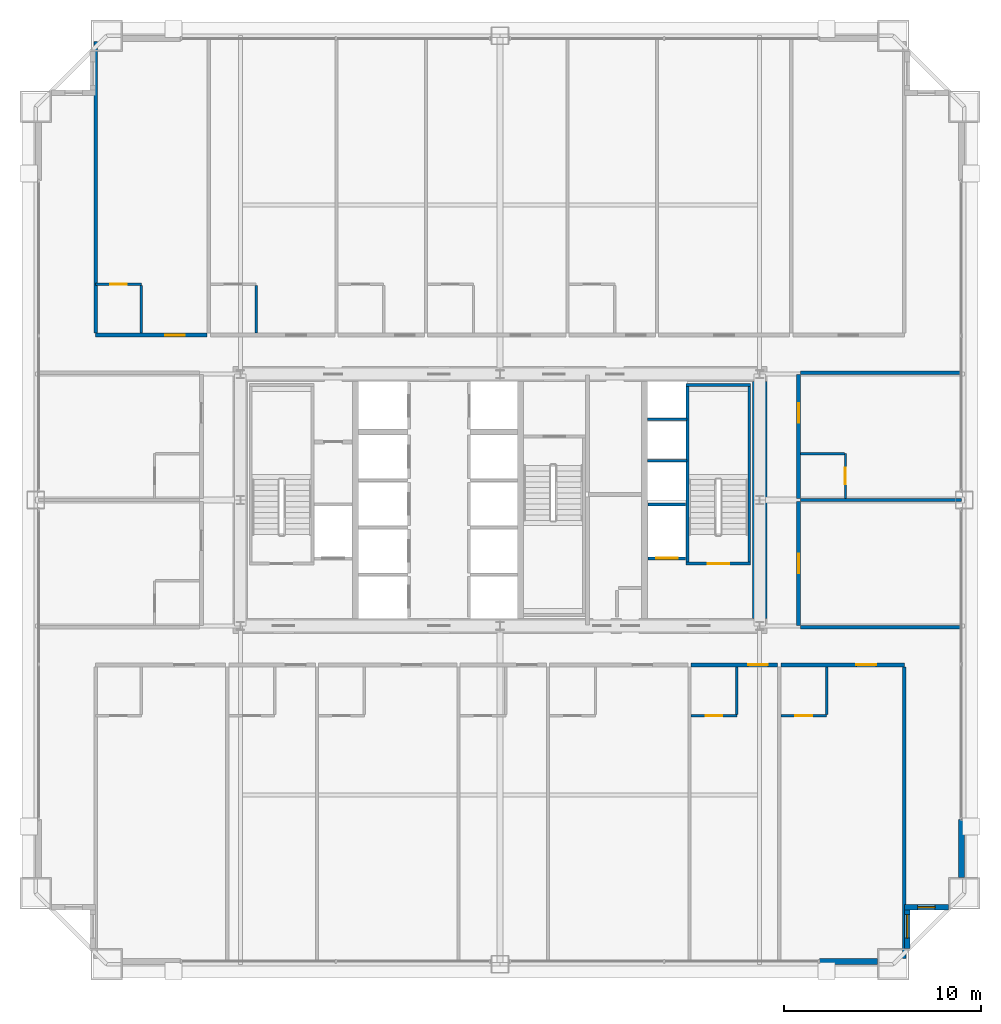
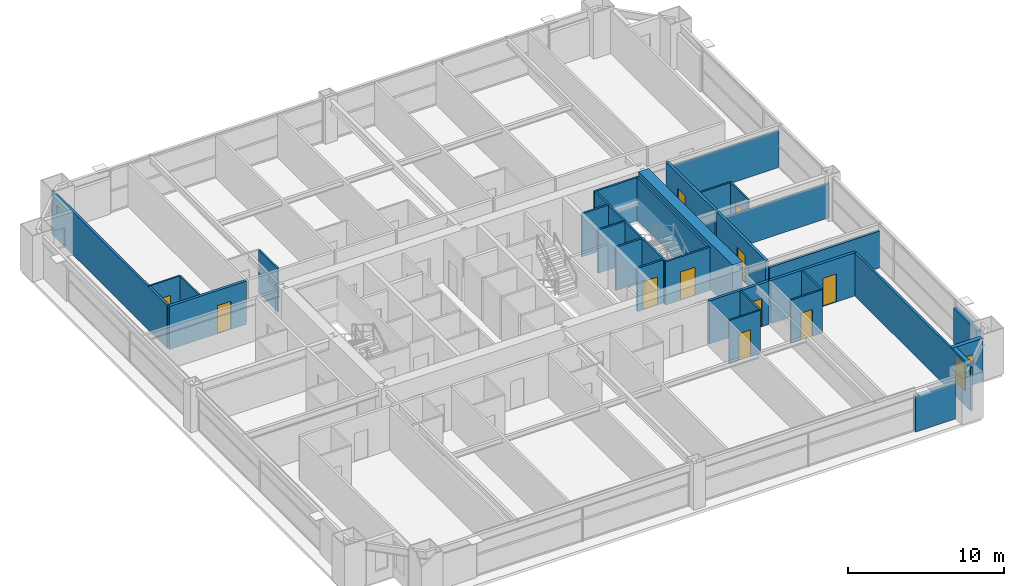
# One storey, part 36 of 38: 32 walls, 11 doors, 2 windows, 13 openings.
"""IFC4 building model written with IfcOpenShell, lengths in metres."""

from ifc_helpers import new_model, si_unit, direction, frame, frame_2d, origin, place, context, subcontext, project, spatial, rectangle, extrude, source, transform, mapped, material, layer, layer_set, type_object, element, fill, save


model = new_model("IFC4")

# Units and contexts
model_context = context("Model", 3, precision=1e-05, world=origin(), true_north=direction((0.0, 1.0)))
body_context = subcontext(model_context, "Body", "Model", "MODEL_VIEW")
ifc_project = project(units=[si_unit("LENGTHUNIT", "METRE"), si_unit("AREAUNIT", "SQUARE_METRE"), si_unit("VOLUMEUNIT", "CUBIC_METRE"), si_unit("PLANEANGLEUNIT", "RADIAN"), si_unit("MASSUNIT", "GRAM", prefix="KILO"), si_unit("THERMODYNAMICTEMPERATUREUNIT", "KELVIN"), si_unit("POWERUNIT", "WATT")], contexts=[model_context])

# Site, building, storey
site_placement = place(None, origin())
site = spatial("IfcSite", under=ifc_project, at=site_placement, CompositionType="ELEMENT")
building_placement = place(site_placement, origin())
building = spatial("IfcBuilding", under=site, at=building_placement, Name="Yuzanri Waterfront Tower", CompositionType="ELEMENT")
storey_placement = place(building_placement, frame((0.0, 0.0, 97.39990234375)))
storey = spatial("IfcBuildingStorey", under=building, at=storey_placement, Name="L25", CompositionType="ELEMENT", Elevation=97.39990234375)

# Wall, opening, door
ifc_material_1 = material(Name="Moisture-Resistant Gypsum Stud Wall", Category="gypsum")
ifc_layer_1 = layer(ifc_material_1, 0.1201171875)
ifc_layer_set_1 = layer_set([ifc_layer_1], Name="Moisture-Resistant Gypsum Stud Wall")
wall_type_1 = type_object("IfcWallType", Name="Bathroom and Kitchen Wet Partition 120", PredefinedType="PARTITIONING", material=ifc_layer_set_1)
wall_1_placement = place(storey_placement, frame((46.714111328125, 14.840087890625, 0.0), z_axis=(0.0, 0.0, 1.0), x_axis=(1.0, 0.0, 0.0)))
wall_1 = element("IfcWall", 1, at=wall_1_placement, inside=storey, type_object=wall_type_1, Name="L25 Partition UW-L25-S6-BS", PredefinedType="PARTITIONING", context=body_context, shape_type="SweptSolid", body=[
    extrude(rectangle(XDim=2.327880859375, YDim=0.1201171875, at=frame_2d((1.1640625, 0.0))), origin(), (0.0, 0.0, 1.0), 3.380126953125),
])
opening_1_placement = place(wall_1_placement, frame((0.739013671875, 0.0, 0.0)))
opening_1 = element("IfcOpeningElement", 2, at=opening_1_placement, cuts=wall_1, Name="Opening ID-0850", PredefinedType="OPENING", context=body_context, shape_type="SweptSolid", body=[
    extrude(rectangle(XDim=0.85009765625, YDim=2.10009765625, at=frame_2d((0.425048828125, 1.050048828125))), frame((0.0, 0.074951171875, 0.0), z_axis=(0.0, -1.0, 0.0), x_axis=(1.0, 0.0, 0.0)), (0.0, 0.0, 1.0), 0.14990234375),
])
ifc_material_2 = material(Name="Moisture-Resistant Lacquered Timber", Category="wood")
door_type_1 = type_object("IfcDoorType", Name="En-Suite Bathroom and Kitchen Swing Door 850x2100", OperationType="NOTDEFINED", PredefinedType="DOOR", material=ifc_material_2)
shared_shape_1 = source(origin(), body_context, "Body", "SweptSolid", [
    extrude(rectangle(XDim=0.85009765625, YDim=2.10009765625, at=frame_2d((0.425048828125, 1.050048828125))), frame((0.0, 0.02490234375, 0.0), z_axis=(0.0, -1.0, 0.0), x_axis=(1.0, 0.0, 0.0)), (0.0, 0.0, 1.0), 0.050048828125),
])
door_1_placement = place(opening_1_placement, origin())
door_1 = element("IfcDoor", 3, at=door_1_placement, inside=storey, type_object=door_type_1, Name="L25 Guest En-Suite Door", OperationType="SINGLE_SWING_LEFT", OverallHeight=2.10009765625, OverallWidth=0.85009765625, PredefinedType="DOOR", context=body_context, shape_type="MappedRepresentation", body=[
    mapped(shared_shape_1, transform((0.0, 0.0, 0.0), scale=1.0)),
])
fill(opening_1, door_1)

wall_2_placement = place(storey_placement, frame((51.27197265625, 14.840087890625, 0.0), z_axis=(0.0, 0.0, 1.0), x_axis=(1.0, 0.0, 0.0)))
wall_2 = element("IfcWall", 4, at=wall_2_placement, inside=storey, type_object=wall_type_1, Name="L25 Partition UW-L25-S7-BS", PredefinedType="PARTITIONING", context=body_context, shape_type="SweptSolid", body=[
    extrude(rectangle(XDim=2.330078125, YDim=0.1201171875, at=frame_2d((1.1650390625, 0.0))), origin(), (0.0, 0.0, 1.0), 3.380126953125),
])
opening_2_placement = place(wall_2_placement, frame((0.739990234375, 0.0, 0.0)))
opening_2 = element("IfcOpeningElement", 5, at=opening_2_placement, cuts=wall_2, Name="Opening ID-0850", PredefinedType="OPENING", context=body_context, shape_type="SweptSolid", body=[
    extrude(rectangle(XDim=0.85009765625, YDim=2.10009765625, at=frame_2d((0.425048828125, 1.050048828125))), frame((0.0, 0.074951171875, 0.0), z_axis=(0.0, -1.0, 0.0), x_axis=(1.0, 0.0, 0.0)), (0.0, 0.0, 1.0), 0.14990234375),
])
door_2_placement = place(opening_2_placement, origin())
door_2 = element("IfcDoor", 6, at=door_2_placement, inside=storey, type_object=door_type_1, Name="L25 Guest En-Suite Door", OperationType="SINGLE_SWING_LEFT", OverallHeight=2.10009765625, OverallWidth=0.85009765625, PredefinedType="DOOR", context=body_context, shape_type="MappedRepresentation", body=[
    mapped(shared_shape_1, transform((0.0, 0.0, 0.0), scale=1.0)),
])
fill(opening_2, door_2)

wall_3_placement = place(storey_placement, frame((16.43994140625, 36.760009765625, 0.0), z_axis=(0.0, 0.0, 1.0), x_axis=(1.0, 0.0, 0.0)))
wall_3 = element("IfcWall", 7, at=wall_3_placement, inside=storey, type_object=wall_type_1, Name="L25 Partition UW-L25-N1-BN", PredefinedType="PARTITIONING", context=body_context, shape_type="SweptSolid", body=[
    extrude(rectangle(XDim=2.330078125, YDim=0.1201171875, at=frame_2d((1.1650390625, 0.0))), origin(), (0.0, 0.0, 1.0), 3.380126953125),
])
opening_3_placement = place(wall_3_placement, frame((0.739990234375, 0.0, 0.0)))
opening_3 = element("IfcOpeningElement", 8, at=opening_3_placement, cuts=wall_3, Name="Opening ID-0850", PredefinedType="OPENING", context=body_context, shape_type="SweptSolid", body=[
    extrude(rectangle(XDim=0.85009765625, YDim=2.10009765625, at=frame_2d((0.425048828125, 1.050048828125))), frame((0.0, 0.074951171875, 0.0), z_axis=(0.0, -1.0, 0.0), x_axis=(1.0, 0.0, 0.0)), (0.0, 0.0, 1.0), 0.14990234375),
])
door_3_placement = place(opening_3_placement, origin())
door_3 = element("IfcDoor", 9, at=door_3_placement, inside=storey, type_object=door_type_1, Name="L25 Guest En-Suite Door", OperationType="SINGLE_SWING_LEFT", OverallHeight=2.10009765625, OverallWidth=0.85009765625, PredefinedType="DOOR", context=body_context, shape_type="MappedRepresentation", body=[
    mapped(shared_shape_1, transform((0.0, 0.0, 0.0), scale=1.0)),
])
fill(opening_3, door_3)

wall_4_placement = place(storey_placement, frame((54.56005859375, 25.8798828125, 0.0), z_axis=(0.0, 0.0, 1.0), x_axis=(0.0, 1.0, 0.0)))
wall_4 = element("IfcWall", 10, at=wall_4_placement, inside=storey, type_object=wall_type_1, Name="L25 Partition UW-L25-E2-BE2", PredefinedType="PARTITIONING", context=body_context, shape_type="SweptSolid", body=[
    extrude(rectangle(XDim=2.280029296875, YDim=0.1201171875, at=frame_2d((1.14013671875, 0.0))), origin(), (0.0, 0.0, 1.0), 3.380126953125),
])
opening_4_placement = place(wall_4_placement, frame((0.715087890625, 0.0, 0.0)))
opening_4 = element("IfcOpeningElement", 11, at=opening_4_placement, cuts=wall_4, Name="Opening ID-0850", PredefinedType="OPENING", context=body_context, shape_type="SweptSolid", body=[
    extrude(rectangle(XDim=0.85009765625, YDim=2.10009765625, at=frame_2d((0.425048828125, 1.050048828125))), frame((0.0, 0.074951171875, 0.0), z_axis=(0.0, -1.0, 0.0), x_axis=(1.0, 0.0, 0.0)), (0.0, 0.0, 1.0), 0.14990234375),
])
door_4_placement = place(opening_4_placement, origin())
door_4 = element("IfcDoor", 12, at=door_4_placement, inside=storey, type_object=door_type_1, Name="L25 Guest En-Suite Door", OperationType="SINGLE_SWING_RIGHT", OverallHeight=2.10009765625, OverallWidth=0.85009765625, PredefinedType="DOOR", context=body_context, shape_type="MappedRepresentation", body=[
    mapped(shared_shape_1, transform((0.0, 0.0, 0.0), scale=1.0)),
])
fill(opening_4, door_4)

# Wall, opening, window
ifc_material_3 = material(Name="Honed Chongqing Dark Basalt Stone", Category="masonry")
ifc_layer_2 = layer(ifc_material_3, 0.300048828125)
ifc_layer_set_2 = layer_set([ifc_layer_2], Name="Honed Chongqing Dark Basalt Stone")
wall_type_2 = type_object("IfcWallType", Name="Bronze Rainscreen Insulated Spandrel Portal Wall 300", PredefinedType="SOLIDWALL", material=ifc_layer_set_2)
wall_5_placement = place(storey_placement, frame((57.550048828125, 5.10009765625, 0.0), z_axis=(0.0, 0.0, 1.0), x_axis=(1.0, 0.0, 0.0)))
wall_5 = element("IfcWall", 13, at=wall_5_placement, inside=storey, type_object=wall_type_2, Name="L25 Notched Corner Masonry Wall SE-X", PredefinedType="SOLIDWALL", context=body_context, shape_type="SweptSolid", body=[
    extrude(rectangle(XDim=2.25, YDim=0.300048828125, at=frame_2d((1.125, 0.0))), origin(), (0.0, 0.0, 1.0), 3.380126953125),
])
opening_5_placement = place(wall_5_placement, frame((0.675048828125, 0.0, 0.85009765625)))
opening_5 = element("IfcOpeningElement", 14, at=opening_5_placement, cuts=wall_5, Name="Opening WN-05", PredefinedType="OPENING", context=body_context, shape_type="SweptSolid", body=[
    extrude(rectangle(XDim=0.89990234375, YDim=1.5, at=frame_2d((0.449951171875, 0.75))), frame((0.0, 0.1650390625, 0.0), z_axis=(0.0, -1.0, 0.0), x_axis=(1.0, 0.0, 0.0)), (0.0, 0.0, 1.0), 0.329833984375),
])
ifc_material_4 = material(Name="Double-Silver Low-E Insulated Glass", Category="glass")
window_type_1 = type_object("IfcWindowType", Name="Anodized Bronze Service and Stairwell Smoke-Vent Window 900x1500", PartitioningType="SINGLE_PANEL", PredefinedType="WINDOW", material=ifc_material_4)
shared_shape_2 = source(origin(), body_context, "Body", "SweptSolid", [
    extrude(rectangle(XDim=0.89990234375, YDim=1.5, at=frame_2d((0.449951171875, 0.75))), frame((0.0, 0.030029296875, 0.0), z_axis=(0.0, -1.0, 0.0), x_axis=(1.0, 0.0, 0.0)), (0.0, 0.0, 1.0), 0.06005859375),
])
window_1_placement = place(opening_5_placement, origin())
window_1 = element("IfcWindow", 15, at=window_1_placement, inside=storey, type_object=window_type_1, Name="L25 Notched Corner Window SE-X", OverallHeight=1.5, OverallWidth=0.89990234375, PartitioningType="SINGLE_PANEL", PredefinedType="WINDOW", context=body_context, shape_type="MappedRepresentation", body=[
    mapped(shared_shape_2, transform((0.0, 0.0, 0.0), scale=1.0)),
])
fill(opening_5, window_1)

wall_6_placement = place(storey_placement, frame((57.699951171875, 3.0, 0.0), z_axis=(0.0, 0.0, 1.0), x_axis=(0.0, 1.0, 0.0)))
wall_6 = element("IfcWall", 16, at=wall_6_placement, inside=storey, type_object=wall_type_2, Name="L25 Notched Corner Masonry Wall SE-Y", PredefinedType="SOLIDWALL", context=body_context, shape_type="SweptSolid", body=[
    extrude(rectangle(XDim=2.25, YDim=0.300048828125, at=frame_2d((1.125, 0.0))), origin(), (0.0, 0.0, 1.0), 3.380126953125),
])
opening_6_placement = place(wall_6_placement, frame((0.52490234375, 0.0, 0.85009765625)))
opening_6 = element("IfcOpeningElement", 17, at=opening_6_placement, cuts=wall_6, Name="Opening WN-02", PredefinedType="OPENING", context=body_context, shape_type="SweptSolid", body=[
    extrude(rectangle(XDim=1.199951171875, YDim=2.10009765625, at=frame_2d((0.60009765625, 1.050048828125))), frame((0.0, 0.1650390625, 0.0), z_axis=(0.0, -1.0, 0.0), x_axis=(1.0, 0.0, 0.0)), (0.0, 0.0, 1.0), 0.329833984375),
])
ifc_material_5 = material(Name="Double-Silver Low-E Insulated Glass", Category="glass")
window_type_2 = type_object("IfcWindowType", Name="Anodized Bronze Notched Corner Deep-Set Slot Window 1200x2100", PartitioningType="SINGLE_PANEL", PredefinedType="WINDOW", material=ifc_material_5)
shared_shape_3 = source(origin(), body_context, "Body", "SweptSolid", [
    extrude(rectangle(XDim=1.199951171875, YDim=2.10009765625, at=frame_2d((0.60009765625, 1.050048828125))), frame((0.0, 0.030029296875, 0.0), z_axis=(0.0, -1.0, 0.0), x_axis=(1.0, 0.0, 0.0)), (0.0, 0.0, 1.0), 0.06005859375),
])
window_2_placement = place(opening_6_placement, origin())
window_2 = element("IfcWindow", 18, at=window_2_placement, inside=storey, type_object=window_type_2, Name="L25 Notched Corner Window SE-Y", OverallHeight=2.10009765625, OverallWidth=1.199951171875, PartitioningType="SINGLE_PANEL", PredefinedType="WINDOW", context=body_context, shape_type="MappedRepresentation", body=[
    mapped(shared_shape_3, transform((0.0, 0.0, 0.0), scale=1.0)),
])
fill(opening_6, window_2)

# Wall, opening, door
ifc_material_6 = material(Name="Concrete C40", Category="concrete")
ifc_layer_3 = layer(ifc_material_6, 0.139892578125)
ifc_layer_set_3 = layer_set([ifc_layer_3], Name="Concrete C40")
wall_type_3 = type_object("IfcWallType", Name="Core Stair Liner and Hoistway Shaft Wall 140", PredefinedType="SOLIDWALL", material=ifc_layer_set_3)
wall_7_placement = place(storey_placement, frame((44.52001953125, 22.830078125, 0.0), z_axis=(0.0, 0.0, 1.0), x_axis=(1.0, 0.0, 0.0)))
wall_7 = element("IfcWall", 19, at=wall_7_placement, inside=storey, type_object=wall_type_3, Name="L25 Lift FL-02 Front Shaft Wall", PredefinedType="SOLIDWALL", context=body_context, shape_type="SweptSolid", body=[
    extrude(rectangle(XDim=1.919921875, YDim=0.139892578125, at=frame_2d((0.9599609375, 0.0))), origin(), (0.0, 0.0, 1.0), 3.380126953125),
])
opening_7_placement = place(wall_7_placement, frame((0.409912109375, 0.0, 0.0)))
opening_7 = element("IfcOpeningElement", 20, at=opening_7_placement, cuts=wall_7, Name="Opening LD-FL-02", PredefinedType="OPENING", context=body_context, shape_type="SweptSolid", body=[
    extrude(rectangle(XDim=1.10009765625, YDim=2.199951171875, at=frame_2d((0.550048828125, 1.10009765625))), frame((0.0, 0.0849609375, 0.0), z_axis=(0.0, -1.0, 0.0), x_axis=(1.0, 0.0, 0.0)), (0.0, 0.0, 1.0), 0.169677734375),
])
ifc_material_7 = material(Name="Brushed Bronze and Stainless Steel Cab", Category="steel")
door_type_2 = type_object("IfcDoorType", Name="Center-Parting Bronze Lift Landing Sliding Door 1100x2200", OperationType="NOTDEFINED", PredefinedType="DOOR", material=ifc_material_7)
shared_shape_4 = source(origin(), body_context, "Body", "SweptSolid", [
    extrude(rectangle(XDim=1.10009765625, YDim=2.199951171875, at=frame_2d((0.550048828125, 1.10009765625))), frame((0.0, 0.02490234375, 0.0), z_axis=(0.0, -1.0, 0.0), x_axis=(1.0, 0.0, 0.0)), (0.0, 0.0, 1.0), 0.050048828125),
])
door_5_placement = place(opening_7_placement, origin())
door_5 = element("IfcDoor", 21, at=door_5_placement, inside=storey, type_object=door_type_2, Name="L25 FL-02 Lift Landing Sliding Door", OperationType="SLIDING_TO_RIGHT", OverallHeight=2.199951171875, OverallWidth=1.10009765625, PredefinedType="DOOR", context=body_context, shape_type="MappedRepresentation", body=[
    mapped(shared_shape_4, transform((0.0, 0.0, 0.0), scale=1.0)),
])
fill(opening_7, door_5)

wall_8_placement = place(storey_placement, frame((46.4599609375, 22.570068359375, 0.0), z_axis=(0.0, 0.0, 1.0), x_axis=(1.0, 0.0, 0.0)))
wall_8 = element("IfcWall", 22, at=wall_8_placement, inside=storey, type_object=wall_type_3, Name="L25 Shaft Wall STW-L25-ST-02-S", PredefinedType="SOLIDWALL", context=body_context, shape_type="SweptSolid", body=[
    extrude(rectangle(XDim=3.280029296875, YDim=0.139892578125, at=frame_2d((1.64013671875, 0.0))), origin(), (0.0, 0.0, 1.0), 3.380126953125),
])
opening_8_placement = place(wall_8_placement, frame((1.090087890625, 0.0, 0.0)))
opening_8 = element("IfcOpeningElement", 23, at=opening_8_placement, cuts=wall_8, Name="Opening FD-1100", PredefinedType="OPENING", context=body_context, shape_type="SweptSolid", body=[
    extrude(rectangle(XDim=1.10009765625, YDim=2.199951171875, at=frame_2d((0.550048828125, 1.10009765625))), frame((0.0, 0.0849609375, 0.0), z_axis=(0.0, -1.0, 0.0), x_axis=(1.0, 0.0, 0.0)), (0.0, 0.0, 1.0), 0.169677734375),
])
ifc_material_8 = material(Name="Painted Galvanized Fire Steel", Category="steel")
door_type_3 = type_object("IfcDoorType", Name="Smoke-Proof Stair and Lobby Fire Door 1100x2200", OperationType="NOTDEFINED", PredefinedType="DOOR", material=ifc_material_8)
shared_shape_5 = source(origin(), body_context, "Body", "SweptSolid", [
    extrude(rectangle(XDim=1.10009765625, YDim=2.199951171875, at=frame_2d((0.550048828125, 1.10009765625))), frame((0.0, 0.02490234375, 0.0), z_axis=(0.0, -1.0, 0.0), x_axis=(1.0, 0.0, 0.0)), (0.0, 0.0, 1.0), 0.050048828125),
])
door_6_placement = place(opening_8_placement, origin())
door_6 = element("IfcDoor", 24, at=door_6_placement, inside=storey, type_object=door_type_3, Name="L25 Stair ST-02 Fire Door", OperationType="SINGLE_SWING_RIGHT", OverallHeight=2.199951171875, OverallWidth=1.10009765625, PredefinedType="DOOR", context=body_context, shape_type="MappedRepresentation", body=[
    mapped(shared_shape_5, transform((0.0, 0.0, 0.0), scale=1.0)),
])
fill(opening_8, door_6)

ifc_material_9 = material(Name="Autoclaved Aerated Concrete Blockwork", Category="masonry")
ifc_layer_4 = layer(ifc_material_9, 0.199951171875)
ifc_layer_set_4 = layer_set([ifc_layer_4], Name="Autoclaved Aerated Concrete Blockwork")
wall_type_4 = type_object("IfcWallType", Name="Corridor and Unit Party Fire Wall 200", PredefinedType="PARTITIONING", material=ifc_layer_set_4)
wall_9_placement = place(storey_placement, frame((46.714111328125, 17.419921875, 0.0), z_axis=(0.0, 0.0, 1.0), x_axis=(1.0, 0.0, 0.0)))
wall_9 = element("IfcWall", 25, at=wall_9_placement, inside=storey, type_object=wall_type_4, Name="L25 Partition UW-L25-S6-CN", PredefinedType="PARTITIONING", context=body_context, shape_type="SweptSolid", body=[
    extrude(rectangle(XDim=4.39794921875, YDim=0.199951171875, at=frame_2d((2.198974609375, 0.0))), origin(), (0.0, 0.0, 1.0), 3.380126953125),
])
opening_9_placement = place(wall_9_placement, frame((2.903076171875, 0.0, 0.0)))
opening_9 = element("IfcOpeningElement", 26, at=opening_9_placement, cuts=wall_9, Name="Opening FD-1000", PredefinedType="OPENING", context=body_context, shape_type="SweptSolid", body=[
    extrude(rectangle(XDim=1.0, YDim=2.199951171875, at=frame_2d((0.5, 1.10009765625))), frame((0.0, 0.11474609375, 0.0), z_axis=(0.0, -1.0, 0.0), x_axis=(1.0, 0.0, 0.0)), (0.0, 0.0, 1.0), 0.229736328125),
])
ifc_material_10 = material(Name="Engineered Oak Fire-Rated Timber", Category="wood")
door_type_4 = type_object("IfcDoorType", Name="Guestroom and Apartment Entrance Fire Door 1000x2200", OperationType="NOTDEFINED", PredefinedType="DOOR", material=ifc_material_10)
shared_shape_6 = source(origin(), body_context, "Body", "SweptSolid", [
    extrude(rectangle(XDim=1.0, YDim=2.199951171875, at=frame_2d((0.5, 1.10009765625))), frame((0.0, 0.02490234375, 0.0), z_axis=(0.0, -1.0, 0.0), x_axis=(1.0, 0.0, 0.0)), (0.0, 0.0, 1.0), 0.050048828125),
])
door_7_placement = place(opening_9_placement, origin())
door_7 = element("IfcDoor", 27, at=door_7_placement, inside=storey, type_object=door_type_4, Name="L25 Superior King Guest Room Entrance Door", OperationType="SINGLE_SWING_RIGHT", OverallHeight=2.199951171875, OverallWidth=1.0, PredefinedType="DOOR", context=body_context, shape_type="MappedRepresentation", body=[
    mapped(shared_shape_6, transform((0.0, 0.0, 0.0), scale=1.0)),
])
fill(opening_9, door_7)

wall_10_placement = place(storey_placement, frame((51.27197265625, 17.419921875, 0.0), z_axis=(0.0, 0.0, 1.0), x_axis=(1.0, 0.0, 0.0)))
wall_10 = element("IfcWall", 28, at=wall_10_placement, inside=storey, type_object=wall_type_4, Name="L25 Partition UW-L25-S7-CN", PredefinedType="PARTITIONING", context=body_context, shape_type="SweptSolid", body=[
    extrude(rectangle(XDim=6.2880859375, YDim=0.199951171875, at=frame_2d((3.14404296875, 0.0))), origin(), (0.0, 0.0, 1.0), 3.380126953125),
])
opening_10_placement = place(wall_10_placement, frame((3.84912109375, 0.0, 0.0)))
opening_10 = element("IfcOpeningElement", 29, at=opening_10_placement, cuts=wall_10, Name="Opening FD-1000", PredefinedType="OPENING", context=body_context, shape_type="SweptSolid", body=[
    extrude(rectangle(XDim=1.0, YDim=2.199951171875, at=frame_2d((0.5, 1.10009765625))), frame((0.0, 0.11474609375, 0.0), z_axis=(0.0, -1.0, 0.0), x_axis=(1.0, 0.0, 0.0)), (0.0, 0.0, 1.0), 0.229736328125),
])
door_8_placement = place(opening_10_placement, origin())
door_8 = element("IfcDoor", 30, at=door_8_placement, inside=storey, type_object=door_type_4, Name="L25 Superior King Junior Suite Entrance Door", OperationType="SINGLE_SWING_RIGHT", OverallHeight=2.199951171875, OverallWidth=1.0, PredefinedType="DOOR", context=body_context, shape_type="MappedRepresentation", body=[
    mapped(shared_shape_6, transform((0.0, 0.0, 0.0), scale=1.0)),
])
fill(opening_10, door_8)

wall_11_placement = place(storey_placement, frame((16.43994140625, 34.179931640625, 0.0), z_axis=(0.0, 0.0, 1.0), x_axis=(1.0, 0.0, 0.0)))
wall_11 = element("IfcWall", 31, at=wall_11_placement, inside=storey, type_object=wall_type_4, Name="L25 Partition UW-L25-N1-CS", PredefinedType="PARTITIONING", context=body_context, shape_type="SweptSolid", body=[
    extrude(rectangle(XDim=5.677001953125, YDim=0.199951171875, at=frame_2d((2.83837890625, 0.0))), origin(), (0.0, 0.0, 1.0), 3.380126953125),
])
opening_11_placement = place(wall_11_placement, frame((3.54296875, 0.0, 0.0)))
opening_11 = element("IfcOpeningElement", 32, at=opening_11_placement, cuts=wall_11, Name="Opening FD-1000", PredefinedType="OPENING", context=body_context, shape_type="SweptSolid", body=[
    extrude(rectangle(XDim=1.0, YDim=2.199951171875, at=frame_2d((0.5, 1.10009765625))), frame((0.0, 0.11474609375, 0.0), z_axis=(0.0, -1.0, 0.0), x_axis=(1.0, 0.0, 0.0)), (0.0, 0.0, 1.0), 0.229736328125),
])
door_9_placement = place(opening_11_placement, origin())
door_9 = element("IfcDoor", 33, at=door_9_placement, inside=storey, type_object=door_type_4, Name="L25 Deluxe Queen Junior Suite Entrance Door", OperationType="SINGLE_SWING_RIGHT", OverallHeight=2.199951171875, OverallWidth=1.0, PredefinedType="DOOR", context=body_context, shape_type="MappedRepresentation", body=[
    mapped(shared_shape_6, transform((0.0, 0.0, 0.0), scale=1.0)),
])
fill(opening_11, door_9)

wall_12_placement = place(storey_placement, frame((52.179931640625, 19.409912109375, 0.0), z_axis=(0.0, 0.0, 1.0), x_axis=(0.0, 1.0, 0.0)))
wall_12 = element("IfcWall", 34, at=wall_12_placement, inside=storey, type_object=wall_type_4, Name="L25 Partition UW-L25-E1-CW", PredefinedType="PARTITIONING", context=body_context, shape_type="SweptSolid", body=[
    extrude(rectangle(XDim=6.31005859375, YDim=0.199951171875, at=frame_2d((3.155029296875, 0.0))), origin(), (0.0, 0.0, 1.0), 3.380126953125),
])
opening_12_placement = place(wall_12_placement, frame((2.655029296875, 0.0, 0.0)))
opening_12 = element("IfcOpeningElement", 35, at=opening_12_placement, cuts=wall_12, Name="Opening FD-1000", PredefinedType="OPENING", context=body_context, shape_type="SweptSolid", body=[
    extrude(rectangle(XDim=1.0, YDim=2.199951171875, at=frame_2d((0.5, 1.10009765625))), frame((0.0, 0.11474609375, 0.0), z_axis=(0.0, -1.0, 0.0), x_axis=(1.0, 0.0, 0.0)), (0.0, 0.0, 1.0), 0.229736328125),
])
door_10_placement = place(opening_12_placement, origin())
door_10 = element("IfcDoor", 36, at=door_10_placement, inside=storey, type_object=door_type_4, Name="L25 East Executive Club Room Entrance Door", OperationType="SINGLE_SWING_RIGHT", OverallHeight=2.199951171875, OverallWidth=1.0, PredefinedType="DOOR", context=body_context, shape_type="MappedRepresentation", body=[
    mapped(shared_shape_6, transform((0.0, 0.0, 0.0), scale=1.0)),
])
fill(opening_12, door_10)

wall_13_placement = place(storey_placement, frame((52.179931640625, 25.8798828125, 0.0), z_axis=(0.0, 0.0, 1.0), x_axis=(0.0, 1.0, 0.0)))
wall_13 = element("IfcWall", 37, at=wall_13_placement, inside=storey, type_object=wall_type_4, Name="L25 Partition UW-L25-E2-CW", PredefinedType="PARTITIONING", context=body_context, shape_type="SweptSolid", body=[
    extrude(rectangle(XDim=6.31005859375, YDim=0.199951171875, at=frame_2d((3.155029296875, 0.0))), origin(), (0.0, 0.0, 1.0), 3.380126953125),
])
opening_13_placement = place(wall_13_placement, frame((3.8349609375, 0.0, 0.0)))
opening_13 = element("IfcOpeningElement", 38, at=opening_13_placement, cuts=wall_13, Name="Opening FD-1000", PredefinedType="OPENING", context=body_context, shape_type="SweptSolid", body=[
    extrude(rectangle(XDim=1.0, YDim=2.199951171875, at=frame_2d((0.5, 1.10009765625))), frame((0.0, 0.11474609375, 0.0), z_axis=(0.0, -1.0, 0.0), x_axis=(1.0, 0.0, 0.0)), (0.0, 0.0, 1.0), 0.229736328125),
])
door_11_placement = place(opening_13_placement, origin())
door_11 = element("IfcDoor", 39, at=door_11_placement, inside=storey, type_object=door_type_4, Name="L25 East Diplomatic Suite Entrance Door", OperationType="SINGLE_SWING_LEFT", OverallHeight=2.199951171875, OverallWidth=1.0, PredefinedType="DOOR", context=body_context, shape_type="MappedRepresentation", body=[
    mapped(shared_shape_6, transform((0.0, 0.0, 0.0), scale=1.0)),
])
fill(opening_13, door_11)

# Walls
ifc_material_11 = material(Name="Concrete C55", Category="concrete")
ifc_layer_5 = layer(ifc_material_11, 0.75)
ifc_layer_set_5 = layer_set([ifc_layer_5], Name="Concrete C55")
wall_type_5 = type_object("IfcWallType", Name="Concrete C55 Low-Mid Zone Core Shear Wall 750", PredefinedType="SHEAR", material=ifc_layer_set_5)
shared_shape_7 = source(origin(), body_context, "Body", "SweptSolid", [
    extrude(rectangle(XDim=12.050048828125, YDim=0.75, at=frame_2d((6.02490234375, 0.0))), origin(), (0.0, 0.0, 1.0), 3.60009765625),
])
wall_14_placement = place(storey_placement, frame((50.199951171875, 19.77490234375, 0.0), z_axis=(0.0, 0.0, 1.0), x_axis=(0.0, 1.0, 0.0)))
element("IfcWall", 40, at=wall_14_placement, inside=storey, type_object=wall_type_5, Name="L25 Core East Shear Wall", PredefinedType="SHEAR", context=body_context, shape_type="MappedRepresentation", body=[
    mapped(shared_shape_7, transform((0.0, 0.0, 0.0), scale=1.0)),
])
shared_shape_8 = source(origin(), body_context, "Body", "SweptSolid", [
    extrude(rectangle(XDim=2.949951171875, YDim=0.300048828125, at=frame_2d((1.47509765625, 0.0))), origin(), (0.0, 0.0, 1.0), 2.775146484375),
])
for number, where, z_axis, x_axis, name in (
    (41, (53.25, 2.35009765625, 0.0), (0.0, 0.0, 1.0), (1.0, 0.0, 0.0), "L25 S Right Braced Masonry Shoulder"),
    (42, (60.449951171875, 6.60009765625, 0.0), (0.0, 0.0, 1.0), (0.0, 1.0, 0.0), "L25 E Left Braced Masonry Shoulder"),
):
    element("IfcWall", number, at=place(storey_placement, frame(where, z_axis=z_axis, x_axis=x_axis)), inside=storey, type_object=wall_type_2, Name=name, PredefinedType="SOLIDWALL", context=body_context, shape_type="MappedRepresentation", body=[
        mapped(shared_shape_8, transform((0.0, 0.0, 0.0), scale=1.0)),
    ])
shared_shape_9 = source(origin(), body_context, "Body", "SweptSolid", [
    extrude(rectangle(XDim=1.919921875, YDim=0.139892578125, at=frame_2d((0.9599609375, 0.0))), origin(), (0.0, 0.0, 1.0), 3.380126953125),
])
wall_15_placement = place(storey_placement, frame((44.52001953125, 25.570068359375, 0.0), z_axis=(0.0, 0.0, 1.0), x_axis=(1.0, 0.0, 0.0)))
element("IfcWall", 43, at=wall_15_placement, inside=storey, type_object=wall_type_3, Name="L25 Lift FL-02 Back Shaft Wall", PredefinedType="SOLIDWALL", context=body_context, shape_type="MappedRepresentation", body=[
    mapped(shared_shape_9, transform((0.0, 0.0, 0.0), scale=1.0)),
])
shared_shape_10 = source(origin(), body_context, "Body", "SweptSolid", [
    extrude(rectangle(XDim=2.0, YDim=0.139892578125, at=frame_2d((1.0, 0.0))), origin(), (0.0, 0.0, 1.0), 3.380126953125),
])
for number, where, z_axis, x_axis, name in (
    (44, (44.5, 27.800048828125, 0.0), (0.0, 0.0, 1.0), (1.0, 0.0, 0.0), "L25 Lift PL-09 Divider Wall"),
    (45, (44.5, 29.89990234375, 0.0), (0.0, 0.0, 1.0), (1.0, 0.0, 0.0), "L25 Lift PL-10 Divider Wall"),
):
    element("IfcWall", number, at=place(storey_placement, frame(where, z_axis=z_axis, x_axis=x_axis)), inside=storey, type_object=wall_type_3, Name=name, PredefinedType="SOLIDWALL", context=body_context, shape_type="MappedRepresentation", body=[
        mapped(shared_shape_10, transform((0.0, 0.0, 0.0), scale=1.0)),
    ])
shared_shape_11 = source(origin(), body_context, "Body", "SweptSolid", [
    extrude(rectangle(XDim=3.280029296875, YDim=0.139892578125, at=frame_2d((1.64013671875, 0.0))), origin(), (0.0, 0.0, 1.0), 3.380126953125),
])
wall_16_placement = place(storey_placement, frame((46.4599609375, 31.64990234375, 0.0), z_axis=(0.0, 0.0, 1.0), x_axis=(1.0, 0.0, 0.0)))
element("IfcWall", 46, at=wall_16_placement, inside=storey, type_object=wall_type_3, Name="L25 Stair ST-02 North Shaft Wall", PredefinedType="SOLIDWALL", context=body_context, shape_type="MappedRepresentation", body=[
    mapped(shared_shape_11, transform((0.0, 0.0, 0.0), scale=1.0)),
])
shared_shape_12 = source(origin(), body_context, "Body", "SweptSolid", [
    extrude(rectangle(XDim=8.940185546875, YDim=0.139892578125, at=frame_2d((4.47021484375, 0.0))), origin(), (0.0, 0.0, 1.0), 3.380126953125),
])
for number, where, z_axis, x_axis, name in (
    (47, (46.530029296875, 22.639892578125, 0.0), (0.0, 0.0, 1.0), (0.0, 1.0, 0.0), "L25 Stair ST-02 West Shaft Wall"),
    (48, (49.669921875, 22.639892578125, 0.0), (0.0, 0.0, 1.0), (0.0, 1.0, 0.0), "L25 Stair ST-02 East Shaft Wall"),
):
    element("IfcWall", number, at=place(storey_placement, frame(where, z_axis=z_axis, x_axis=x_axis)), inside=storey, type_object=wall_type_3, Name=name, PredefinedType="SOLIDWALL", context=body_context, shape_type="MappedRepresentation", body=[
        mapped(shared_shape_12, transform((0.0, 0.0, 0.0), scale=1.0)),
    ])
shared_shape_13 = source(origin(), body_context, "Body", "SweptSolid", [
    extrude(rectangle(XDim=2.420166015625, YDim=0.1201171875, at=frame_2d((1.2099609375, 0.0))), origin(), (0.0, 0.0, 1.0), 3.380126953125),
])
for number, where, z_axis, x_axis, name in (
    (49, (49.0419921875, 14.89990234375, 0.0), (0.0, 0.0, 1.0), (0.0, 1.0, 0.0), "L25-S6 En-Suite Side Wall"),
    (50, (53.60205078125, 14.89990234375, 0.0), (0.0, 0.0, 1.0), (0.0, 1.0, 0.0), "L25-S7 En-Suite Side Wall"),
):
    element("IfcWall", number, at=place(storey_placement, frame(where, z_axis=z_axis, x_axis=x_axis)), inside=storey, type_object=wall_type_1, Name=name, PredefinedType="PARTITIONING", context=body_context, shape_type="MappedRepresentation", body=[
        mapped(shared_shape_13, transform((0.0, 0.0, 0.0), scale=1.0)),
    ])
shared_shape_14 = source(origin(), body_context, "Body", "SweptSolid", [
    extrude(rectangle(XDim=2.419921875, YDim=0.1201171875, at=frame_2d((1.2099609375, 0.0))), origin(), (0.0, 0.0, 1.0), 3.380126953125),
])
for number, where, z_axis, x_axis, name in (
    (51, (18.77001953125, 34.280029296875, 0.0), (0.0, 0.0, 1.0), (0.0, 1.0, 0.0), "L25-N1 En-Suite Side Wall"),
    (52, (24.60693359375, 34.280029296875, 0.0), (0.0, 0.0, 1.0), (0.0, 1.0, 0.0), "L25-N2 En-Suite Side Wall"),
):
    element("IfcWall", number, at=place(storey_placement, frame(where, z_axis=z_axis, x_axis=x_axis)), inside=storey, type_object=wall_type_1, Name=name, PredefinedType="PARTITIONING", context=body_context, shape_type="MappedRepresentation", body=[
        mapped(shared_shape_14, transform((0.0, 0.0, 0.0), scale=1.0)),
    ])
shared_shape_15 = source(origin(), body_context, "Body", "SweptSolid", [
    extrude(rectangle(XDim=2.219970703125, YDim=0.1201171875, at=frame_2d((1.10986328125, 0.0))), origin(), (0.0, 0.0, 1.0), 3.380126953125),
])
wall_17_placement = place(storey_placement, frame((52.280029296875, 28.159912109375, 0.0), z_axis=(0.0, 0.0, 1.0), x_axis=(1.0, 0.0, 0.0)))
element("IfcWall", 53, at=wall_17_placement, inside=storey, type_object=wall_type_1, Name="L25-E2 En-Suite Top Wall", PredefinedType="PARTITIONING", context=body_context, shape_type="MappedRepresentation", body=[
    mapped(shared_shape_15, transform((0.0, 0.0, 0.0), scale=1.0)),
])
ifc_material_12 = material(Name="Gypsum Fireboard Acoustic Stud Wall", Category="gypsum")
ifc_layer_6 = layer(ifc_material_12, 0.159912109375)
ifc_layer_set_6 = layer_set([ifc_layer_6], Name="Gypsum Fireboard Acoustic Stud Wall")
wall_type_6 = type_object("IfcWallType", Name="Acoustic Suite Demising Partition 160", PredefinedType="PARTITIONING", material=ifc_layer_set_6)
shared_shape_16 = source(origin(), body_context, "Body", "SweptSolid", [
    extrude(rectangle(XDim=14.820068359375, YDim=0.159912109375, at=frame_2d((7.41015625, 0.0))), origin(), (0.0, 0.0, 1.0), 3.380126953125),
])
for number, where, z_axis, x_axis, name in (
    (54, (57.550048828125, 2.5, 0.0), (0.0, 0.0, 1.0), (0.0, 1.0, 0.0), "L25 South Band East End Wall"),
    (55, (16.449951171875, 34.280029296875, 0.0), (0.0, 0.0, 1.0), (0.0, 1.0, 0.0), "L25 North Band West End Wall"),
):
    element("IfcWall", number, at=place(storey_placement, frame(where, z_axis=z_axis, x_axis=x_axis)), inside=storey, type_object=wall_type_6, Name=name, PredefinedType="PARTITIONING", context=body_context, shape_type="MappedRepresentation", body=[
        mapped(shared_shape_16, transform((0.0, 0.0, 0.0), scale=1.0)),
    ])
shared_shape_17 = source(origin(), body_context, "Body", "SweptSolid", [
    extrude(rectangle(XDim=8.169921875, YDim=0.159912109375, at=frame_2d((4.0849609375, 0.0))), origin(), (0.0, 0.0, 1.0), 2.675048828125),
])
wall_18_placement = place(storey_placement, frame((52.280029296875, 25.800048828125, 0.0), z_axis=(0.0, 0.0, 1.0), x_axis=(1.0, 0.0, 0.0)))
element("IfcWall", 56, at=wall_18_placement, inside=storey, type_object=wall_type_6, Name="L25-E1 Wing Party Wall", PredefinedType="PARTITIONING", context=body_context, shape_type="MappedRepresentation", body=[
    mapped(shared_shape_17, transform((0.0, 0.0, 0.0), scale=1.0)),
])
shared_shape_18 = source(origin(), body_context, "Body", "SweptSolid", [
    extrude(rectangle(XDim=8.169921875, YDim=0.159912109375, at=frame_2d((4.0849609375, 0.0))), origin(), (0.0, 0.0, 1.0), 2.875),
])
for number, where, z_axis, x_axis, name in (
    (57, (52.280029296875, 19.330078125, 0.0), (0.0, 0.0, 1.0), (1.0, 0.0, 0.0), "L25-E1 Wing South End Wall"),
    (58, (52.280029296875, 32.27001953125, 0.0), (0.0, 0.0, 1.0), (1.0, 0.0, 0.0), "L25-E2 Wing North End Wall"),
):
    element("IfcWall", number, at=place(storey_placement, frame(where, z_axis=z_axis, x_axis=x_axis)), inside=storey, type_object=wall_type_6, Name=name, PredefinedType="PARTITIONING", context=body_context, shape_type="MappedRepresentation", body=[
        mapped(shared_shape_18, transform((0.0, 0.0, 0.0), scale=1.0)),
    ])

save(model, "model.ifc")
